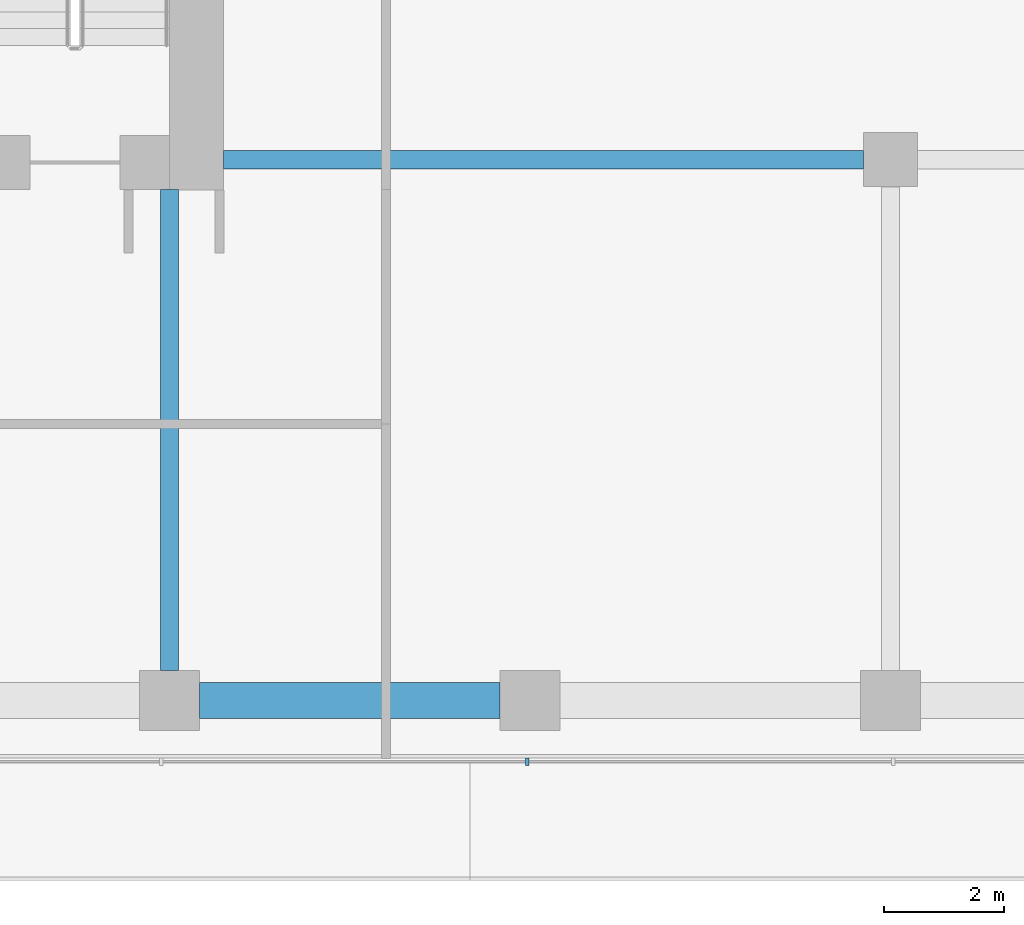
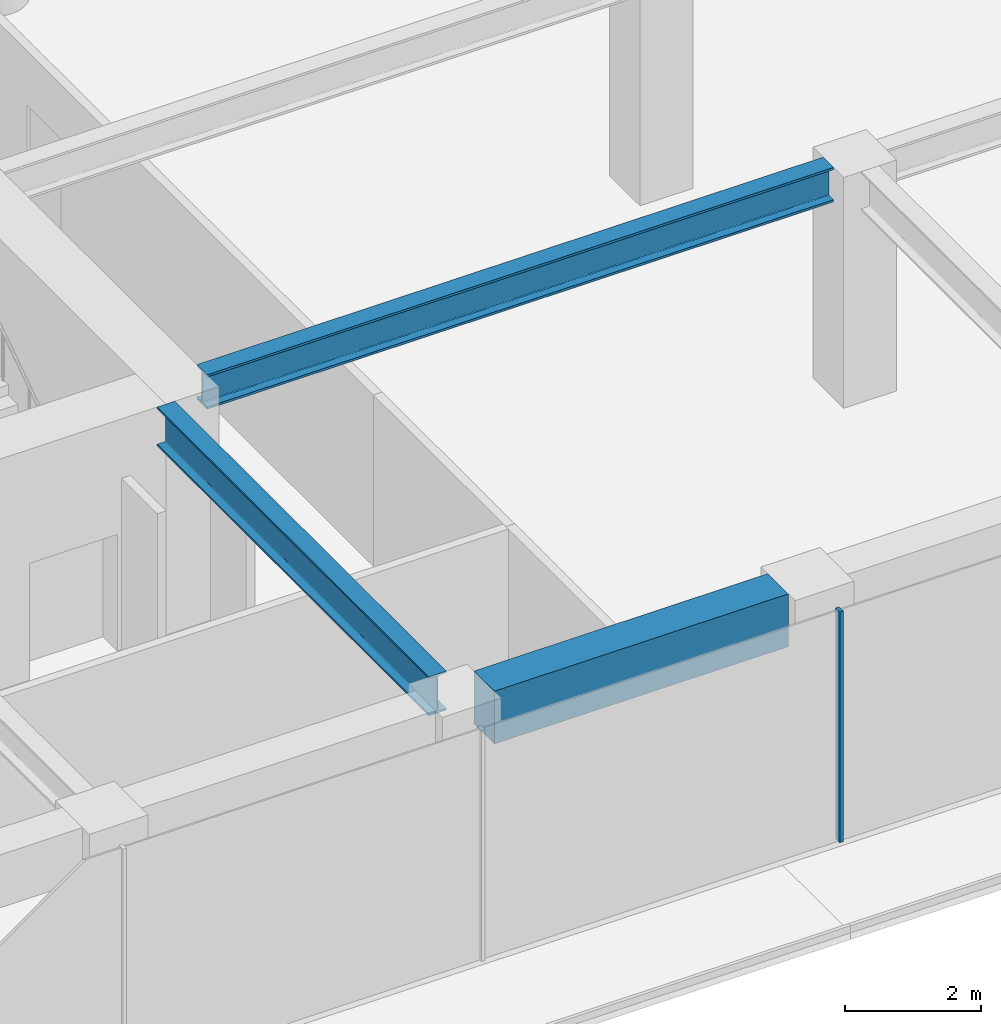
# One storey, part 3 of 24: 3 beams, 1 member, 1 element without a shape of its own.
"""IFC4 building model written with IfcOpenShell, lengths in metres."""

from ifc_helpers import new_model, si_unit, direction, frame, origin, origin_2d, place, context, subcontext, project, spatial, rectangle, i_section, extrude, material, layer, layer_set, material_profile, profile_set, type_object, element, aggregate, save


model = new_model("IFC4")

# Units and contexts
model_context = context("Model", 3, precision=1e-05, world=origin(), true_north=direction((0.0, 1.0)))
body_context = subcontext(model_context, "Body", "Model", "MODEL_VIEW")
ifc_project = project(units=[si_unit("LENGTHUNIT", "METRE"), si_unit("AREAUNIT", "SQUARE_METRE"), si_unit("VOLUMEUNIT", "CUBIC_METRE"), si_unit("PLANEANGLEUNIT", "RADIAN"), si_unit("MASSUNIT", "GRAM", prefix="KILO")], contexts=[model_context])

# Site, building, storey
site_placement = place(None, origin())
site = spatial("IfcSite", under=ifc_project, at=site_placement, CompositionType="ELEMENT")
building_placement = place(site_placement, origin())
building = spatial("IfcBuilding", under=site, at=building_placement, Name="Welwitschia Terrace Campus", CompositionType="ELEMENT")
storey_placement = place(building_placement, frame((0.0, 0.0, 24.5)))
storey = spatial("IfcBuildingStorey", under=building, at=storey_placement, Name="L05", CompositionType="ELEMENT", Elevation=24.5)

# Beam
ifc_material_1 = material(Name="Steel S355", Category="steel")
ifc_material_profile_1 = material_profile(ifc_material_1, i_section(OverallWidth=0.304931640625, OverallDepth=0.6201171875, WebThickness=0.02099609375, FlangeThickness=0.0400390625, FilletRadius=0.027099609375, at=origin_2d()))
ifc_profile_set_1 = profile_set([ifc_material_profile_1], Name="Steel S355")
beam_type_1 = type_object("IfcBeamType", Name="Interior girder HE 600 M", PredefinedType="BEAM", material=ifc_profile_set_1)
beam_1_placement = place(storey_placement, frame((24.90087890625, 5.0, 3.840087890625), z_axis=(1.0, 0.0, 0.0), x_axis=(0.0, 1.0, 0.0)))
element("IfcBeam", 1, at=beam_1_placement, inside=storey, type_object=beam_type_1, Name="Girder GB1", PredefinedType="BEAM", context=body_context, shape_type="SweptSolid", body=[
    extrude(i_section(OverallWidth=0.304931640625, OverallDepth=0.6201171875, WebThickness=0.02099609375, FlangeThickness=0.0400390625, FilletRadius=0.027099609375, at=origin_2d()), origin(), (0.0, 0.0, 1.0), 10.648681640625),
])

# Curtain wall, member
ifc_material_2 = material(Name="Bronze anodised aluminium", Category="aluminium")
ifc_layer = layer(ifc_material_2, 0.1201171875)
ifc_layer_set = layer_set([ifc_layer], Name="Bronze anodised aluminium")
curtain_wall_type = type_object("IfcCurtainWallType", Name="Curtain wall CW2 tower 6000", PredefinedType="NOTDEFINED", material=ifc_layer_set)
curtain_wall_placement = place(storey_placement, origin())
curtain_wall = element("IfcCurtainWall", 2, at=curtain_wall_placement, inside=storey, type_object=curtain_wall_type, Name="CW L05.1.0", PredefinedType="NOTDEFINED")
ifc_material_3 = material(Name="Bronze anodised aluminium", Category="aluminium")
ifc_material_profile_2 = material_profile(ifc_material_3, rectangle(XDim=0.1201171875, YDim=0.06005859375, at=origin_2d()))
ifc_profile_set_2 = profile_set([ifc_material_profile_2], Name="Bronze anodised aluminium")
member_type = type_object("IfcMemberType", Name="Mullion 60x120", PredefinedType="MULLION", material=ifc_profile_set_2)
member_placement = place(storey_placement, frame((29.953125, -5.02001953125, 0.0), z_axis=(0.0, 0.0, 1.0), x_axis=(0.0, 1.0, 0.0)))
member = element("IfcMember", 3, at=member_placement, type_object=member_type, Name="Mullion L05.1.0.4", PredefinedType="MULLION", context=body_context, shape_type="SweptSolid", body=[
    extrude(rectangle(XDim=0.1201171875, YDim=0.06005859375, at=origin_2d()), origin(), (0.0, 0.0, 1.0), 4.14990234375),
])
aggregate(curtain_wall, [member])

# Beams
ifc_material_4 = material(Name="Steel S355", Category="steel")
ifc_material_profile_3 = material_profile(ifc_material_4, i_section(OverallWidth=0.300048828125, OverallDepth=0.699951171875, WebThickness=0.01708984375, FlangeThickness=0.031982421875, FilletRadius=0.027099609375, at=origin_2d()))
ifc_profile_set_3 = profile_set([ifc_material_profile_3], Name="Steel S355")
beam_type_2 = type_object("IfcBeamType", Name="Primary beam HE 700 B", PredefinedType="BEAM", material=ifc_profile_set_3)
beam_2_placement = place(storey_placement, frame((24.0, -3.49951171875, 3.800048828125), z_axis=(0.0, 1.0, 0.0), x_axis=(-1.0, 0.0, 0.0)))
element("IfcBeam", 4, at=beam_2_placement, inside=storey, type_object=beam_type_2, Name="Primary beam PB1", PredefinedType="BEAM", context=body_context, shape_type="SweptSolid", body=[
    extrude(i_section(OverallWidth=0.300048828125, OverallDepth=0.699951171875, WebThickness=0.01708984375, FlangeThickness=0.031982421875, FilletRadius=0.027099609375, at=origin_2d()), origin(), (0.0, 0.0, 1.0), 7.99951171875),
])
ifc_material_5 = material(Name="Concrete C60/75", Category="concrete")
ifc_material_profile_4 = material_profile(ifc_material_5, rectangle(XDim=0.60009765625, YDim=0.949951171875, at=origin_2d()))
ifc_profile_set_4 = profile_set([ifc_material_profile_4], Name="Concrete C60/75")
beam_type_3 = type_object("IfcBeamType", Name="Ring spandrel 600x950", PredefinedType="SPANDREL", material=ifc_profile_set_4)
beam_3_placement = place(storey_placement, frame((24.50048828125, -4.0, 3.675048828125), z_axis=(1.0, 0.0, 0.0), x_axis=(0.0, 1.0, 0.0)))
element("IfcBeam", 5, at=beam_3_placement, inside=storey, type_object=beam_type_3, Name="Spandrel SP1", PredefinedType="SPANDREL", context=body_context, shape_type="SweptSolid", body=[
    extrude(rectangle(XDim=0.60009765625, YDim=0.949951171875, at=origin_2d()), origin(), (0.0, 0.0, 1.0), 4.9990234375),
])

save(model, "model.ifc")
